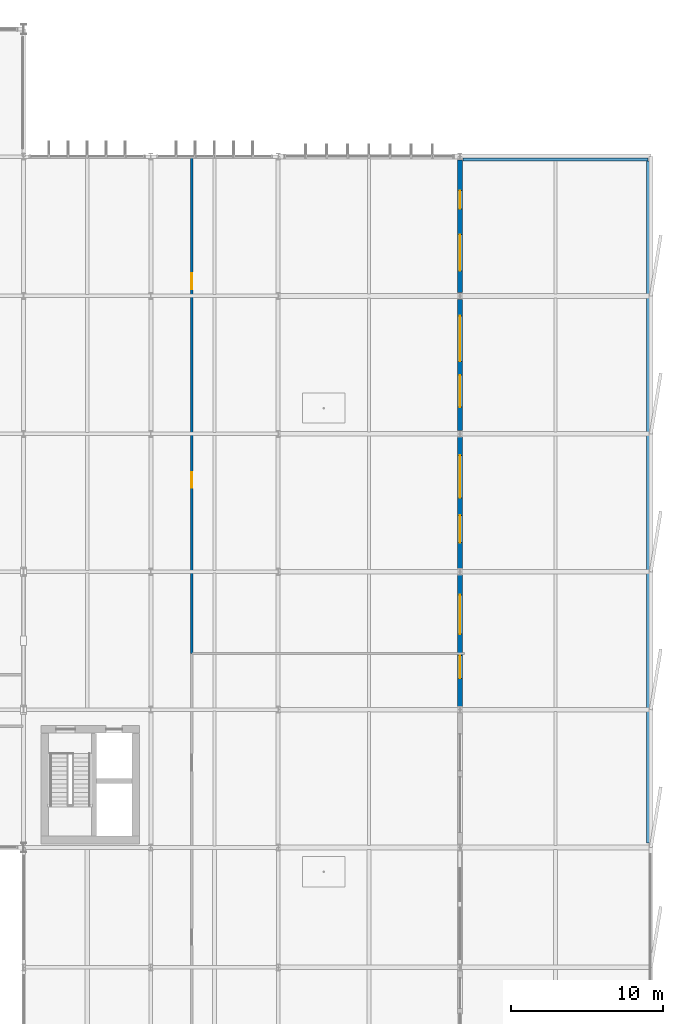
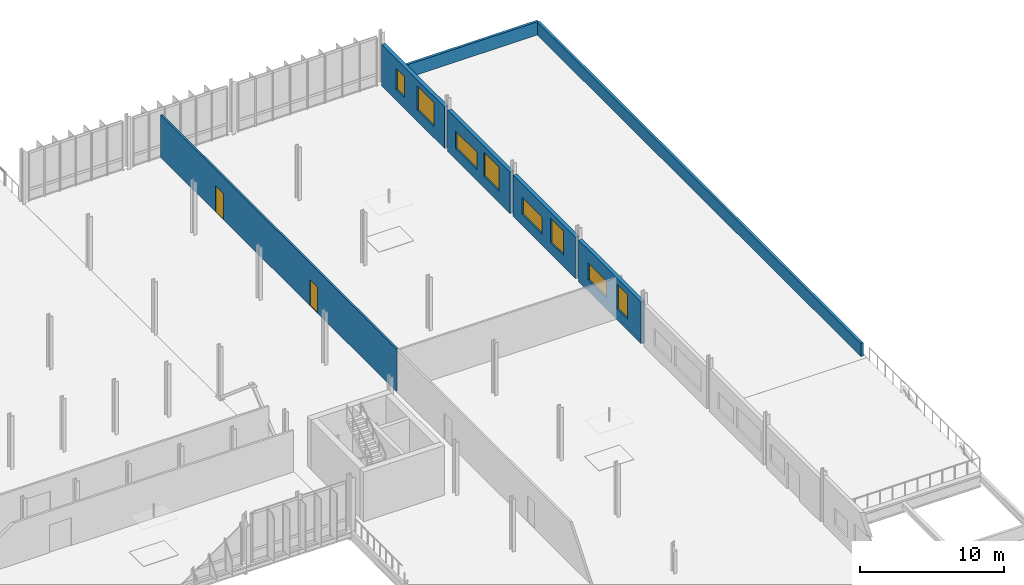
# One storey, part 108 of 139: 8 windows, 7 walls, 2 doors, 10 openings.
"""IFC4 building model written with IfcOpenShell, lengths in metres."""

from ifc_helpers import new_model, si_unit, derived_unit, direction, frame, frame_2d, origin, place, context, subcontext, project, spatial, rectangle, extrude, material, layer, layer_set, type_object, element, fill, save


model = new_model("IFC4")

# Units and contexts
model_context = context("Model", 3, precision=1e-05, world=origin(), true_north=direction((0.0, 1.0)))
body_context = subcontext(model_context, "Body", "Model", "MODEL_VIEW")
ifc_project = project(units=[si_unit("LENGTHUNIT", "METRE"), si_unit("AREAUNIT", "SQUARE_METRE"), si_unit("VOLUMEUNIT", "CUBIC_METRE"), si_unit("PLANEANGLEUNIT", "RADIAN"), si_unit("MASSUNIT", "GRAM", prefix="KILO"), derived_unit("THERMALTRANSMITTANCEUNIT", [(si_unit("MASSUNIT", "GRAM", prefix="KILO"), 1), (si_unit("TIMEUNIT", "SECOND"), -3), (si_unit("THERMODYNAMICTEMPERATUREUNIT", "KELVIN"), -1)])], contexts=[model_context])

# Site, building, storey
site_placement = place(None, origin())
site = spatial("IfcSite", under=ifc_project, at=site_placement, CompositionType="ELEMENT")
building_placement = place(site_placement, origin())
building = spatial("IfcBuilding", under=site, at=building_placement, Name="Makaiwela Harbour Ferry Terminal", CompositionType="ELEMENT")
storey_placement = place(building_placement, frame((0.0, 0.0, 5.10009765625)))
storey = spatial("IfcBuildingStorey", under=building, at=storey_placement, Name="L01", CompositionType="ELEMENT", Elevation=5.10009765625)

# Wall, openings, windows
ifc_material_1 = material(Name="Precast concrete f'c 40 MPa (6000 psi) with Hawaiian basalt rainscreen", Category="masonry")
ifc_layer_1 = layer(ifc_material_1, 0.300048828125)
ifc_layer_set_1 = layer_set([ifc_layer_1], Name="Precast concrete f'c 40 MPa (6000 psi) with Hawaiian basalt rainscreen")
wall_type_1 = type_object("IfcWallType", Name="ENV-WL-EXT300", PredefinedType="SOLIDWALL", material=ifc_layer_set_1)
wall_1_placement = place(storey_placement, frame((167.39990234375, 67.37646484375, 0.0), z_axis=(0.0, 0.0, 1.0), x_axis=(0.0, -1.0, 0.0)))
wall_1 = element("IfcWall", 1, at=wall_1_placement, inside=storey, type_object=wall_type_1, Name="Exterior Wall EW-061", PredefinedType="SOLIDWALL", context=body_context, shape_type="SweptSolid", body=[
    extrude(rectangle(XDim=8.653076171875, YDim=0.300048828125, at=frame_2d((4.32666015625, 0.0))), origin(), (0.0, 0.0, 1.0), 3.52197265625),
])
opening_1_placement = place(wall_1_placement, frame((1.2958984375, 0.0, 0.949951171875)))
opening_1 = element("IfcOpeningElement", 2, at=opening_1_placement, cuts=wall_1, Name="Opening W-16", PredefinedType="OPENING", context=body_context, shape_type="SweptSolid", body=[
    extrude(rectangle(XDim=2.60009765625, YDim=1.449951171875, at=frame_2d((1.300048828125, 0.72509765625))), frame((0.0, 0.159912109375, 0.0), z_axis=(0.0, -1.0, 0.0), x_axis=(1.0, 0.0, 0.0)), (0.0, 0.0, 1.0), 0.320068359375),
])
opening_2_placement = place(wall_1_placement, frame((5.30712890625, 0.0, 0.949951171875)))
opening_2 = element("IfcOpeningElement", 3, at=opening_2_placement, cuts=wall_1, Name="Opening W-31", PredefinedType="OPENING", context=body_context, shape_type="SweptSolid", body=[
    extrude(rectangle(XDim=1.5, YDim=2.050048828125, at=frame_2d((0.75, 1.02490234375))), frame((0.0, 0.159912109375, 0.0), z_axis=(0.0, -1.0, 0.0), x_axis=(1.0, 0.0, 0.0)), (0.0, 0.0, 1.0), 0.320068359375),
])
ifc_material_2 = material(Name="Laminated hurricane-impact low-E insulated glazing", Category="glass")
window_type_1 = type_object("IfcWindowType", Name="ENV-WIN-16", PartitioningType="SINGLE_PANEL", PredefinedType="WINDOW", material=ifc_material_2)
window_1_placement = place(opening_1_placement, origin())
window_1 = element("IfcWindow", 4, at=window_1_placement, inside=storey, type_object=window_type_1, Name="Exterior Window W-16", OverallHeight=1.449951171875, OverallWidth=2.60009765625, PartitioningType="SINGLE_PANEL", PredefinedType="WINDOW", context=body_context, shape_type="SweptSolid", body=[
    extrude(rectangle(XDim=2.60009765625, YDim=1.449951171875, at=frame_2d((1.300048828125, 0.72509765625))), frame((0.0, 0.030029296875, 0.0), z_axis=(0.0, -1.0, 0.0), x_axis=(1.0, 0.0, 0.0)), (0.0, 0.0, 1.0), 0.06005859375),
])
fill(opening_1, window_1)
window_type_2 = type_object("IfcWindowType", Name="ENV-WIN-31", PartitioningType="SINGLE_PANEL", PredefinedType="WINDOW", material=ifc_material_2)
window_2_placement = place(opening_2_placement, origin())
window_2 = element("IfcWindow", 5, at=window_2_placement, inside=storey, type_object=window_type_2, Name="Exterior Window W-31", OverallHeight=2.050048828125, OverallWidth=1.5, PartitioningType="SINGLE_PANEL", PredefinedType="WINDOW", context=body_context, shape_type="SweptSolid", body=[
    extrude(rectangle(XDim=1.5, YDim=2.050048828125, at=frame_2d((0.75, 1.02490234375))), frame((0.0, 0.030029296875, 0.0), z_axis=(0.0, -1.0, 0.0), x_axis=(1.0, 0.0, 0.0)), (0.0, 0.0, 1.0), 0.06005859375),
])
fill(opening_2, window_2)

wall_2_placement = place(storey_placement, frame((167.39990234375, 76.4765625, 0.0), z_axis=(0.0, 0.0, 1.0), x_axis=(0.0, -1.0, 0.0)))
wall_2 = element("IfcWall", 6, at=wall_2_placement, inside=storey, type_object=wall_type_1, Name="Exterior Wall EW-063", PredefinedType="SOLIDWALL", context=body_context, shape_type="SweptSolid", body=[
    extrude(rectangle(XDim=8.653076171875, YDim=0.300048828125, at=frame_2d((4.32666015625, 0.0))), origin(), (0.0, 0.0, 1.0), 3.52197265625),
])
opening_3_placement = place(wall_2_placement, frame((1.19580078125, 0.0, 0.949951171875)))
opening_3 = element("IfcOpeningElement", 7, at=opening_3_placement, cuts=wall_2, Name="Opening W-17", PredefinedType="OPENING", context=body_context, shape_type="SweptSolid", body=[
    extrude(rectangle(XDim=2.800048828125, YDim=1.449951171875, at=frame_2d((1.39990234375, 0.72509765625))), frame((0.0, 0.159912109375, 0.0), z_axis=(0.0, -1.0, 0.0), x_axis=(1.0, 0.0, 0.0)), (0.0, 0.0, 1.0), 0.320068359375),
])
opening_4_placement = place(wall_2_placement, frame((5.156982421875, 0.0, 0.949951171875)))
opening_4 = element("IfcOpeningElement", 8, at=opening_4_placement, cuts=wall_2, Name="Opening W-32", PredefinedType="OPENING", context=body_context, shape_type="SweptSolid", body=[
    extrude(rectangle(XDim=1.800048828125, YDim=2.050048828125, at=frame_2d((0.89990234375, 1.02490234375))), frame((0.0, 0.159912109375, 0.0), z_axis=(0.0, -1.0, 0.0), x_axis=(1.0, 0.0, 0.0)), (0.0, 0.0, 1.0), 0.320068359375),
])
window_type_3 = type_object("IfcWindowType", Name="ENV-WIN-17", PartitioningType="SINGLE_PANEL", PredefinedType="WINDOW", material=ifc_material_2)
window_3_placement = place(opening_3_placement, origin())
window_3 = element("IfcWindow", 9, at=window_3_placement, inside=storey, type_object=window_type_3, Name="Exterior Window W-17", OverallHeight=1.449951171875, OverallWidth=2.800048828125, PartitioningType="SINGLE_PANEL", PredefinedType="WINDOW", context=body_context, shape_type="SweptSolid", body=[
    extrude(rectangle(XDim=2.800048828125, YDim=1.449951171875, at=frame_2d((1.39990234375, 0.72509765625))), frame((0.0, 0.030029296875, 0.0), z_axis=(0.0, -1.0, 0.0), x_axis=(1.0, 0.0, 0.0)), (0.0, 0.0, 1.0), 0.06005859375),
])
fill(opening_3, window_3)
window_type_4 = type_object("IfcWindowType", Name="ENV-WIN-32", PartitioningType="SINGLE_PANEL", PredefinedType="WINDOW", material=ifc_material_2)
window_4_placement = place(opening_4_placement, origin())
window_4 = element("IfcWindow", 10, at=window_4_placement, inside=storey, type_object=window_type_4, Name="Exterior Window W-32", OverallHeight=2.050048828125, OverallWidth=1.800048828125, PartitioningType="SINGLE_PANEL", PredefinedType="WINDOW", context=body_context, shape_type="SweptSolid", body=[
    extrude(rectangle(XDim=1.800048828125, YDim=2.050048828125, at=frame_2d((0.89990234375, 1.02490234375))), frame((0.0, 0.030029296875, 0.0), z_axis=(0.0, -1.0, 0.0), x_axis=(1.0, 0.0, 0.0)), (0.0, 0.0, 1.0), 0.06005859375),
])
fill(opening_4, window_4)

wall_3_placement = place(storey_placement, frame((167.39990234375, 85.576416015625, 0.0), z_axis=(0.0, 0.0, 1.0), x_axis=(0.0, -1.0, 0.0)))
wall_3 = element("IfcWall", 11, at=wall_3_placement, inside=storey, type_object=wall_type_1, Name="Exterior Wall EW-065", PredefinedType="SOLIDWALL", context=body_context, shape_type="SweptSolid", body=[
    extrude(rectangle(XDim=8.65283203125, YDim=0.300048828125, at=frame_2d((4.326416015625, 0.0))), origin(), (0.0, 0.0, 1.0), 3.52197265625),
])
opening_5_placement = place(wall_3_placement, frame((1.095947265625, 0.0, 0.949951171875)))
opening_5 = element("IfcOpeningElement", 12, at=opening_5_placement, cuts=wall_3, Name="Opening W-18", PredefinedType="OPENING", context=body_context, shape_type="SweptSolid", body=[
    extrude(rectangle(XDim=3.0, YDim=1.449951171875, at=frame_2d((1.5, 0.72509765625))), frame((0.0, 0.159912109375, 0.0), z_axis=(0.0, -1.0, 0.0), x_axis=(1.0, 0.0, 0.0)), (0.0, 0.0, 1.0), 0.320068359375),
])
opening_6_placement = place(wall_3_placement, frame((5.007080078125, 0.0, 0.949951171875)))
opening_6 = element("IfcOpeningElement", 13, at=opening_6_placement, cuts=wall_3, Name="Opening W-33", PredefinedType="OPENING", context=body_context, shape_type="SweptSolid", body=[
    extrude(rectangle(XDim=2.10009765625, YDim=2.050048828125, at=frame_2d((1.050048828125, 1.02490234375))), frame((0.0, 0.159912109375, 0.0), z_axis=(0.0, -1.0, 0.0), x_axis=(1.0, 0.0, 0.0)), (0.0, 0.0, 1.0), 0.320068359375),
])
window_type_5 = type_object("IfcWindowType", Name="ENV-WIN-18", PartitioningType="SINGLE_PANEL", PredefinedType="WINDOW", material=ifc_material_2)
window_5_placement = place(opening_5_placement, origin())
window_5 = element("IfcWindow", 14, at=window_5_placement, inside=storey, type_object=window_type_5, Name="Exterior Window W-18", OverallHeight=1.449951171875, OverallWidth=3.0, PartitioningType="SINGLE_PANEL", PredefinedType="WINDOW", context=body_context, shape_type="SweptSolid", body=[
    extrude(rectangle(XDim=3.0, YDim=1.449951171875, at=frame_2d((1.5, 0.72509765625))), frame((0.0, 0.030029296875, 0.0), z_axis=(0.0, -1.0, 0.0), x_axis=(1.0, 0.0, 0.0)), (0.0, 0.0, 1.0), 0.06005859375),
])
fill(opening_5, window_5)
window_type_6 = type_object("IfcWindowType", Name="ENV-WIN-33", PartitioningType="SINGLE_PANEL", PredefinedType="WINDOW", material=ifc_material_2)
window_6_placement = place(opening_6_placement, origin())
window_6 = element("IfcWindow", 15, at=window_6_placement, inside=storey, type_object=window_type_6, Name="Exterior Window W-33", OverallHeight=2.050048828125, OverallWidth=2.10009765625, PartitioningType="SINGLE_PANEL", PredefinedType="WINDOW", context=body_context, shape_type="SweptSolid", body=[
    extrude(rectangle(XDim=2.10009765625, YDim=2.050048828125, at=frame_2d((1.050048828125, 1.02490234375))), frame((0.0, 0.030029296875, 0.0), z_axis=(0.0, -1.0, 0.0), x_axis=(1.0, 0.0, 0.0)), (0.0, 0.0, 1.0), 0.06005859375),
])
fill(opening_6, window_6)

wall_4_placement = place(storey_placement, frame((167.39990234375, 94.776611328125, 0.0), z_axis=(0.0, 0.0, 1.0), x_axis=(0.0, -1.0, 0.0)))
wall_4 = element("IfcWall", 16, at=wall_4_placement, inside=storey, type_object=wall_type_1, Name="Exterior Wall EW-067", PredefinedType="SOLIDWALL", context=body_context, shape_type="SweptSolid", body=[
    extrude(rectangle(XDim=8.753173828125, YDim=0.300048828125, at=frame_2d((4.37646484375, 0.0))), origin(), (0.0, 0.0, 1.0), 3.52197265625),
])
opening_7_placement = place(wall_4_placement, frame((2.02587890625, 0.0, 0.949951171875)))
opening_7 = element("IfcOpeningElement", 17, at=opening_7_placement, cuts=wall_4, Name="Opening W-19", PredefinedType="OPENING", context=body_context, shape_type="SweptSolid", body=[
    extrude(rectangle(XDim=1.199951171875, YDim=1.75, at=frame_2d((0.60009765625, 0.875))), frame((0.0, 0.159912109375, 0.0), z_axis=(0.0, -1.0, 0.0), x_axis=(1.0, 0.0, 0.0)), (0.0, 0.0, 1.0), 0.320068359375),
])
opening_8_placement = place(wall_4_placement, frame((4.927001953125, 0.0, 0.949951171875)))
opening_8 = element("IfcOpeningElement", 18, at=opening_8_placement, cuts=wall_4, Name="Opening W-34", PredefinedType="OPENING", context=body_context, shape_type="SweptSolid", body=[
    extrude(rectangle(XDim=2.39990234375, YDim=2.050048828125, at=frame_2d((1.199951171875, 1.02490234375))), frame((0.0, 0.159912109375, 0.0), z_axis=(0.0, -1.0, 0.0), x_axis=(1.0, 0.0, 0.0)), (0.0, 0.0, 1.0), 0.320068359375),
])
window_type_7 = type_object("IfcWindowType", Name="ENV-WIN-19", PartitioningType="SINGLE_PANEL", PredefinedType="WINDOW", material=ifc_material_2)
window_7_placement = place(opening_7_placement, origin())
window_7 = element("IfcWindow", 19, at=window_7_placement, inside=storey, type_object=window_type_7, Name="Exterior Window W-19", OverallHeight=1.75, OverallWidth=1.199951171875, PartitioningType="SINGLE_PANEL", PredefinedType="WINDOW", context=body_context, shape_type="SweptSolid", body=[
    extrude(rectangle(XDim=1.199951171875, YDim=1.75, at=frame_2d((0.60009765625, 0.875))), frame((0.0, 0.030029296875, 0.0), z_axis=(0.0, -1.0, 0.0), x_axis=(1.0, 0.0, 0.0)), (0.0, 0.0, 1.0), 0.06005859375),
])
fill(opening_7, window_7)
window_type_8 = type_object("IfcWindowType", Name="ENV-WIN-34", PartitioningType="SINGLE_PANEL", PredefinedType="WINDOW", material=ifc_material_2)
window_8_placement = place(opening_8_placement, origin())
window_8 = element("IfcWindow", 20, at=window_8_placement, inside=storey, type_object=window_type_8, Name="Exterior Window W-34", OverallHeight=2.050048828125, OverallWidth=2.39990234375, PartitioningType="SINGLE_PANEL", PredefinedType="WINDOW", context=body_context, shape_type="SweptSolid", body=[
    extrude(rectangle(XDim=2.39990234375, YDim=2.050048828125, at=frame_2d((1.199951171875, 1.02490234375))), frame((0.0, 0.030029296875, 0.0), z_axis=(0.0, -1.0, 0.0), x_axis=(1.0, 0.0, 0.0)), (0.0, 0.0, 1.0), 0.06005859375),
])
fill(opening_8, window_8)

# Walls
ifc_material_3 = material(Name="Precast concrete f'c 40 MPa (6000 psi)", Category="concrete")
ifc_layer_2 = layer(ifc_material_3, 0.199951171875)
ifc_layer_set_2 = layer_set([ifc_layer_2], Name="Precast concrete f'c 40 MPa (6000 psi)")
wall_type_2 = type_object("IfcWallType", Name="ENV-WL-PAR200", PredefinedType="PARAPET", material=ifc_layer_set_2)
wall_5_placement = place(storey_placement, frame((179.800048828125, 49.7099609375, 0.0), z_axis=(0.0, 0.0, 1.0), x_axis=(0.0, 1.0, 0.0)))
element("IfcWall", 21, at=wall_5_placement, inside=storey, type_object=wall_type_2, Name="Roof Parapet Wall PW-004", PredefinedType="PARAPET", context=body_context, shape_type="SweptSolid", body=[
    extrude(rectangle(XDim=44.97998046875, YDim=0.199951171875, at=frame_2d((22.489990234375, 0.0))), origin(), (0.0, 0.0, 1.0), 1.119873046875),
])
wall_6_placement = place(storey_placement, frame((179.800048828125, 94.800048828125, 0.0), z_axis=(0.0, 0.0, 1.0), x_axis=(-1.0, 0.0, 0.0)))
element("IfcWall", 22, at=wall_6_placement, inside=storey, type_object=wall_type_2, Name="Roof Parapet Wall PW-005", PredefinedType="PARAPET", context=body_context, shape_type="SweptSolid", body=[
    extrude(rectangle(XDim=12.199951171875, YDim=0.199951171875, at=frame_2d((6.10009765625, 0.0))), origin(), (0.0, 0.0, 1.0), 1.119873046875),
])

# Wall, openings, doors
ifc_material_4 = material(Name="Moisture-resistant acoustic gypsum partition", Category="gypsum")
ifc_layer_3 = layer(ifc_material_4, 0.14990234375)
ifc_layer_set_3 = layer_set([ifc_layer_3], Name="Moisture-resistant acoustic gypsum partition")
wall_type_3 = type_object("IfcWallType", Name="INT-WL-PRT150", PredefinedType="PARTITIONING", material=ifc_layer_set_3)
wall_7_placement = place(storey_placement, frame((149.699951171875, 62.199951171875, 0.0), z_axis=(0.0, 0.0, 1.0), x_axis=(0.0, 1.0, 0.0)))
wall_7 = element("IfcWall", 23, at=wall_7_placement, inside=storey, type_object=wall_type_3, Name="Interior Wall IW-0537", PredefinedType="PARTITIONING", context=body_context, shape_type="SweptSolid", body=[
    extrude(rectangle(XDim=32.760009765625, YDim=0.14990234375, at=frame_2d((16.3798828125, 0.0))), origin(), (0.0, 0.0, 1.0), 3.602783203125),
])
opening_9_placement = place(wall_7_placement, frame((10.9560546875, 0.0, 0.0)))
opening_9 = element("IfcOpeningElement", 24, at=opening_9_placement, cuts=wall_7, Name="Opening D-13", PredefinedType="OPENING", context=body_context, shape_type="SweptSolid", body=[
    extrude(rectangle(XDim=1.02001953125, YDim=2.199951171875, at=frame_2d((0.510009765625, 1.10009765625))), frame((0.0, 0.0849609375, 0.0), z_axis=(0.0, -1.0, 0.0), x_axis=(1.0, 0.0, 0.0)), (0.0, 0.0, 1.0), 0.169921875),
])
opening_10_placement = place(wall_7_placement, frame((24.030029296875, 0.0, 0.0)))
opening_10 = element("IfcOpeningElement", 25, at=opening_10_placement, cuts=wall_7, Name="Opening D-14", PredefinedType="OPENING", context=body_context, shape_type="SweptSolid", body=[
    extrude(rectangle(XDim=1.080078125, YDim=2.199951171875, at=frame_2d((0.5400390625, 1.10009765625))), frame((0.0, 0.0849609375, 0.0), z_axis=(0.0, -1.0, 0.0), x_axis=(1.0, 0.0, 0.0)), (0.0, 0.0, 1.0), 0.169921875),
])
ifc_material_5 = material(Name="Solid-core marine hardwood and painted steel frame", Category="steel")
door_type_1 = type_object("IfcDoorType", Name="INT-DR-OFF102", OperationType="NOTDEFINED", PredefinedType="DOOR", material=ifc_material_5)
door_1_placement = place(opening_9_placement, frame((1.02001953125, 0.0, 0.0), z_axis=(0.0, 0.0, 1.0), x_axis=(-1.0, 0.0, 0.0)))
door_1 = element("IfcDoor", 26, at=door_1_placement, inside=storey, type_object=door_type_1, Name="Door D-13", OperationType="SINGLE_SWING_RIGHT", OverallHeight=2.199951171875, OverallWidth=1.02001953125, PredefinedType="DOOR", context=body_context, shape_type="SweptSolid", body=[
    extrude(rectangle(XDim=1.02001953125, YDim=2.199951171875, at=frame_2d((0.510009765625, 1.10009765625))), frame((0.0, 0.02490234375, 0.0), z_axis=(0.0, -1.0, 0.0), x_axis=(1.0, 0.0, 0.0)), (0.0, 0.0, 1.0), 0.050048828125),
])
fill(opening_9, door_1)
door_type_2 = type_object("IfcDoorType", Name="INT-DR-OFF108", OperationType="NOTDEFINED", PredefinedType="DOOR", material=ifc_material_5)
door_2_placement = place(opening_10_placement, frame((1.080078125, 0.0, 0.0), z_axis=(0.0, 0.0, 1.0), x_axis=(-1.0, 0.0, 0.0)))
door_2 = element("IfcDoor", 27, at=door_2_placement, inside=storey, type_object=door_type_2, Name="Door D-14", OperationType="SINGLE_SWING_LEFT", OverallHeight=2.199951171875, OverallWidth=1.080078125, PredefinedType="DOOR", context=body_context, shape_type="SweptSolid", body=[
    extrude(rectangle(XDim=1.080078125, YDim=2.199951171875, at=frame_2d((0.5400390625, 1.10009765625))), frame((0.0, 0.02490234375, 0.0), z_axis=(0.0, -1.0, 0.0), x_axis=(1.0, 0.0, 0.0)), (0.0, 0.0, 1.0), 0.050048828125),
])
fill(opening_10, door_2)

save(model, "model.ifc")
